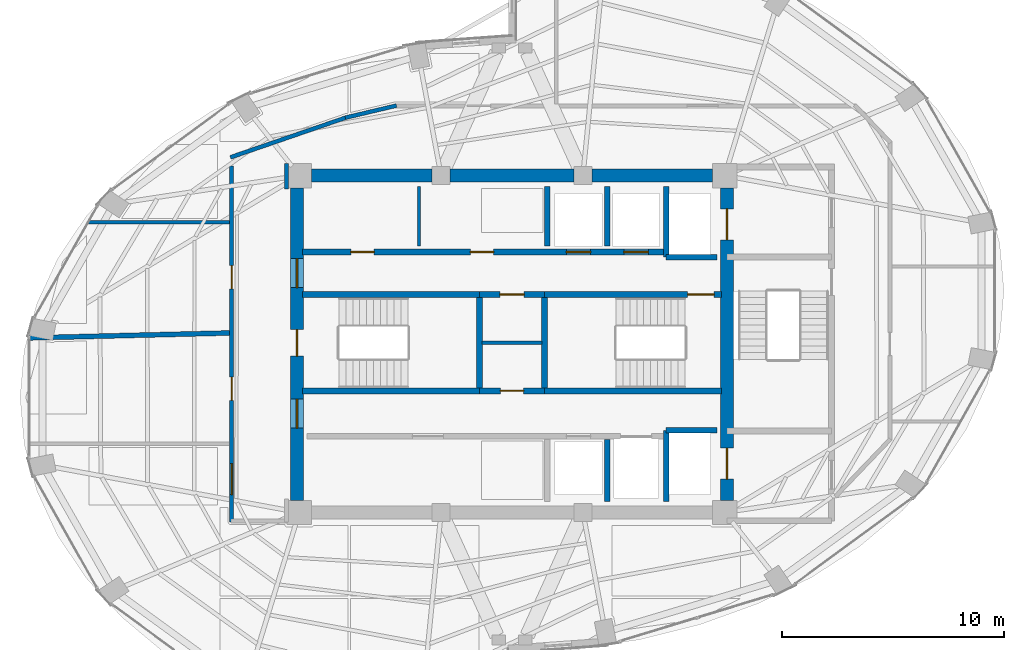
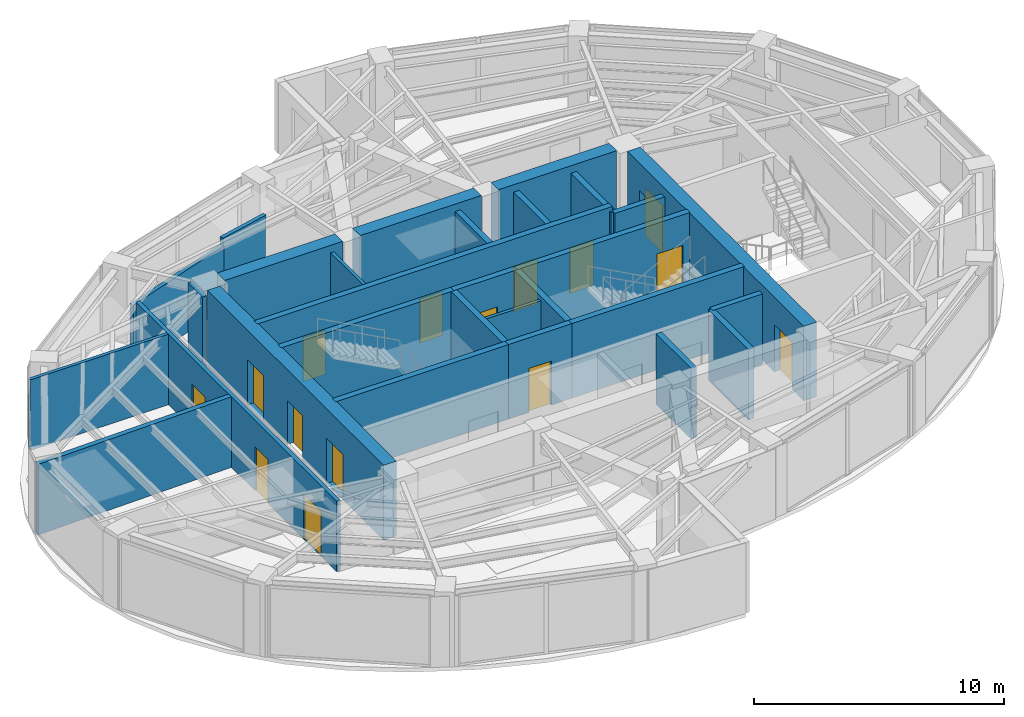
# One storey, part 19 of 22: 29 walls, 15 doors, 15 openings.
"""IFC4 building model written with IfcOpenShell, lengths in metres."""

from ifc_helpers import new_model, si_unit, direction, frame, frame_2d, origin, place, context, subcontext, project, spatial, rectangle, extrude, material, layer, layer_set, type_object, element, fill, save


model = new_model("IFC4")

# Units and contexts
model_context = context("Model", 3, precision=1e-05, world=origin(), true_north=direction((0.0, 1.0)))
body_context = subcontext(model_context, "Body", "Model", "MODEL_VIEW")
ifc_project = project(units=[si_unit("LENGTHUNIT", "METRE"), si_unit("AREAUNIT", "SQUARE_METRE"), si_unit("VOLUMEUNIT", "CUBIC_METRE"), si_unit("PLANEANGLEUNIT", "RADIAN"), si_unit("MASSUNIT", "GRAM", prefix="KILO")], contexts=[model_context])

# Site, building, storey
site_placement = place(None, origin())
site = spatial("IfcSite", under=ifc_project, at=site_placement, CompositionType="ELEMENT")
building_placement = place(site_placement, origin())
building = spatial("IfcBuilding", under=site, at=building_placement, Name="Lazwardi Medical Tower", CompositionType="ELEMENT")
storey_placement = place(building_placement, frame((0.0, 0.0, 227.6640625)))
storey = spatial("IfcBuildingStorey", under=building, at=storey_placement, Name="L59", CompositionType="ELEMENT", Elevation=227.6640625)

# Walls
ifc_material_1 = material(Name="Fire-rated gypsum board on steel stud", Category="steel")
ifc_layer_1 = layer(ifc_material_1, 0.179931640625)
ifc_layer_set_1 = layer_set([ifc_layer_1], Name="Fire-rated gypsum board on steel stud")
wall_type_1 = type_object("IfcWallType", Name="WL-COR-180", PredefinedType="PARTITIONING", material=ifc_layer_set_1)
wall_1_placement = place(storey_placement, frame((23.294189453125, 36.422119140625, 0.0), z_axis=(0.0, 0.0, 1.0), x_axis=(0.945493277461, 0.325641616316, 0.0)))
element("IfcWall", 1, at=wall_1_placement, inside=storey, type_object=wall_type_1, Name="L59 Corridor partition 1", PredefinedType="PARTITIONING", context=body_context, shape_type="SweptSolid", body=[
    extrude(rectangle(XDim=5.5615234375, YDim=0.179931640625, at=frame_2d((2.78076171875, 0.0))), origin(), (0.0, 0.0, 1.0), 3.072998046875),
])
wall_2_placement = place(storey_placement, frame((28.475830078125, 38.2109375, 0.0), z_axis=(0.0, 0.0, 1.0), x_axis=(0.973030562203, 0.230676234189, 0.0)))
element("IfcWall", 2, at=wall_2_placement, inside=storey, type_object=wall_type_1, Name="L59 Corridor partition 2", PredefinedType="PARTITIONING", context=body_context, shape_type="SweptSolid", body=[
    extrude(rectangle(XDim=2.377197265625, YDim=0.179931640625, at=frame_2d((1.1884765625, 0.0))), origin(), (0.0, 0.0, 1.0), 3.447998046875),
])
wall_3_placement = place(storey_placement, frame((25.830078125, 36.139892578125, 0.0), z_axis=(0.0, 0.0, 1.0), x_axis=(0.0, -1.0, 0.0)))
element("IfcWall", 3, at=wall_3_placement, inside=storey, type_object=wall_type_1, Name="L59 Corridor partition 7", PredefinedType="PARTITIONING", context=body_context, shape_type="SweptSolid", body=[
    extrude(rectangle(XDim=1.14990234375, YDim=0.179931640625, at=frame_2d((0.574951171875, 0.0))), origin(), (0.0, 0.0, 1.0), 3.447998046875),
])

# Wall, openings, doors
wall_4_placement = place(storey_placement, frame((23.35009765625, 19.97998046875, 0.0), z_axis=(0.0, 0.0, 1.0), x_axis=(0.0, 1.0, 0.0)))
wall_4 = element("IfcWall", 4, at=wall_4_placement, inside=storey, type_object=wall_type_1, Name="L59 Corridor partition 10", PredefinedType="PARTITIONING", context=body_context, shape_type="SweptSolid", body=[
    extrude(rectangle(XDim=16.04248046875, YDim=0.179931640625, at=frame_2d((8.021240234375, 0.0))), origin(), (0.0, 0.0, 1.0), 3.447998046875),
])
opening_1_placement = place(wall_4_placement, frame((5.4765625, 0.0, 0.0)))
opening_1 = element("IfcOpeningElement", 5, at=opening_1_placement, cuts=wall_4, Name="Opening D-L59-010", PredefinedType="OPENING", context=body_context, shape_type="SweptSolid", body=[
    extrude(rectangle(XDim=1.050048828125, YDim=2.14990234375, at=frame_2d((0.52490234375, 1.074951171875))), frame((0.0, 0.099853515625, 0.0), z_axis=(0.0, -1.0, 0.0), x_axis=(1.0, 0.0, 0.0)), (0.0, 0.0, 1.0), 0.199951171875),
])
opening_2_placement = place(wall_4_placement, frame((1.218994140625, 0.0, 0.0)))
opening_2 = element("IfcOpeningElement", 6, at=opening_2_placement, cuts=wall_4, Name="Opening D-L59-011", PredefinedType="OPENING", context=body_context, shape_type="SweptSolid", body=[
    extrude(rectangle(XDim=1.39990234375, YDim=2.199951171875, at=frame_2d((0.699951171875, 1.10009765625))), frame((0.0, 0.099853515625, 0.0), z_axis=(0.0, -1.0, 0.0), x_axis=(1.0, 0.0, 0.0)), (0.0, 0.0, 1.0), 0.199951171875),
])
opening_3_placement = place(wall_4_placement, frame((10.511474609375, 0.0, 0.0)))
opening_3 = element("IfcOpeningElement", 7, at=opening_3_placement, cuts=wall_4, Name="Opening D-L59-015", PredefinedType="OPENING", context=body_context, shape_type="SweptSolid", body=[
    extrude(rectangle(XDim=1.050048828125, YDim=2.14990234375, at=frame_2d((0.52490234375, 1.074951171875))), frame((0.0, 0.099853515625, 0.0), z_axis=(0.0, -1.0, 0.0), x_axis=(1.0, 0.0, 0.0)), (0.0, 0.0, 1.0), 0.199951171875),
])
ifc_material_2 = material(Name="Anti-microbial laminate hospital leaf")
door_type_1 = type_object("IfcDoorType", Name="DR-BED-1400", OperationType="NOTDEFINED", PredefinedType="DOOR", material=ifc_material_2)
door_1_placement = place(opening_2_placement, origin())
door_1 = element("IfcDoor", 8, at=door_1_placement, inside=storey, type_object=door_type_1, Name="L59 Department Reception Foyer Door 02", OperationType="SINGLE_SWING_RIGHT", OverallHeight=2.199951171875, OverallWidth=1.39990234375, PredefinedType="DOOR", context=body_context, shape_type="SweptSolid", body=[
    extrude(rectangle(XDim=1.39990234375, YDim=2.199951171875, at=frame_2d((0.699951171875, 1.10009765625))), frame((0.0, 0.02490234375, 0.0), z_axis=(0.0, -1.0, 0.0), x_axis=(1.0, 0.0, 0.0)), (0.0, 0.0, 1.0), 0.050048828125),
])
fill(opening_2, door_1)
door_type_2 = type_object("IfcDoorType", Name="DR-CLN-1050", OperationType="NOTDEFINED", PredefinedType="DOOR", material=ifc_material_2)
door_2_placement = place(opening_1_placement, origin())
door_2 = element("IfcDoor", 9, at=door_2_placement, inside=storey, type_object=door_type_2, Name="L59 Clinical Specialist Office Door 01", OperationType="SINGLE_SWING_LEFT", OverallHeight=2.14990234375, OverallWidth=1.050048828125, PredefinedType="DOOR", context=body_context, shape_type="SweptSolid", body=[
    extrude(rectangle(XDim=1.050048828125, YDim=2.14990234375, at=frame_2d((0.52490234375, 1.074951171875))), frame((0.0, 0.02490234375, 0.0), z_axis=(0.0, -1.0, 0.0), x_axis=(1.0, 0.0, 0.0)), (0.0, 0.0, 1.0), 0.050048828125),
])
fill(opening_1, door_2)
door_3_placement = place(opening_3_placement, origin())
door_3 = element("IfcDoor", 10, at=door_3_placement, inside=storey, type_object=door_type_2, Name="L59 Clinical Specialist Office Door 06", OperationType="SINGLE_SWING_RIGHT", OverallHeight=2.14990234375, OverallWidth=1.050048828125, PredefinedType="DOOR", context=body_context, shape_type="SweptSolid", body=[
    extrude(rectangle(XDim=1.050048828125, YDim=2.14990234375, at=frame_2d((0.52490234375, 1.074951171875))), frame((0.0, 0.02490234375, 0.0), z_axis=(0.0, -1.0, 0.0), x_axis=(1.0, 0.0, 0.0)), (0.0, 0.0, 1.0), 0.050048828125),
])
fill(opening_3, door_3)

ifc_material_3 = material(Name="Concrete C60/75", Category="concrete")
ifc_layer_2 = layer(ifc_material_3, 0.60009765625)
ifc_layer_set_2 = layer_set([ifc_layer_2], Name="Concrete C60/75")
wall_type_2 = type_object("IfcWallType", Name="WL-CORE-600", PredefinedType="SHEAR", material=ifc_layer_set_2)
wall_5_placement = place(storey_placement, frame((26.300048828125, 20.949951171875, 0.0), z_axis=(0.0, 0.0, 1.0), x_axis=(0.0, 1.0, 0.0)))
wall_5 = element("IfcWall", 11, at=wall_5_placement, inside=storey, type_object=wall_type_2, Name="Core wall CW-S3 west L59", PredefinedType="SHEAR", context=body_context, shape_type="SweptSolid", body=[
    extrude(rectangle(XDim=14.10009765625, YDim=0.60009765625, at=frame_2d((7.050048828125, 0.0))), origin(), (0.0, 0.0, 1.0), 3.64794921875),
])
opening_4_placement = place(wall_5_placement, frame((6.5, 0.0, 0.0)))
opening_4 = element("IfcOpeningElement", 12, at=opening_4_placement, cuts=wall_5, Name="Opening D-L59-016", PredefinedType="OPENING", context=body_context, shape_type="SweptSolid", body=[
    extrude(rectangle(XDim=1.199951171875, YDim=2.14990234375, at=frame_2d((0.60009765625, 1.074951171875))), frame((0.0, 0.31005859375, 0.0), z_axis=(0.0, -1.0, 0.0), x_axis=(1.0, 0.0, 0.0)), (0.0, 0.0, 1.0), 0.6201171875),
])
opening_5_placement = place(wall_5_placement, frame((9.60009765625, 0.0, 0.0)))
opening_5 = element("IfcOpeningElement", 13, at=opening_5_placement, cuts=wall_5, Name="Opening D-L59-008", PredefinedType="OPENING", context=body_context, shape_type="SweptSolid", body=[
    extrude(rectangle(XDim=1.300048828125, YDim=2.199951171875, at=frame_2d((0.64990234375, 1.10009765625))), frame((0.0, 0.31005859375, 0.0), z_axis=(0.0, -1.0, 0.0), x_axis=(1.0, 0.0, 0.0)), (0.0, 0.0, 1.0), 0.6201171875),
])
opening_6_placement = place(wall_5_placement, frame((3.260009765625, 0.0, 0.0)))
opening_6 = element("IfcOpeningElement", 14, at=opening_6_placement, cuts=wall_5, Name="Opening D-L59-009", PredefinedType="OPENING", context=body_context, shape_type="SweptSolid", body=[
    extrude(rectangle(XDim=1.300048828125, YDim=2.199951171875, at=frame_2d((0.64990234375, 1.10009765625))), frame((0.0, 0.31005859375, 0.0), z_axis=(0.0, -1.0, 0.0), x_axis=(1.0, 0.0, 0.0)), (0.0, 0.0, 1.0), 0.6201171875),
])
ifc_material_4 = material(Name="Fire-rated steel leaf and frame", Category="steel")
door_type_3 = type_object("IfcDoorType", Name="DR-FFL-1300", OperationType="NOTDEFINED", PredefinedType="DOOR", material=ifc_material_4)
door_4_placement = place(opening_5_placement, origin())
door_4 = element("IfcDoor", 15, at=door_4_placement, inside=storey, type_object=door_type_3, Name="L59 North Lift Lobby Door", OperationType="SINGLE_SWING_LEFT", OverallHeight=2.199951171875, OverallWidth=1.300048828125, PredefinedType="DOOR", context=body_context, shape_type="SweptSolid", body=[
    extrude(rectangle(XDim=1.300048828125, YDim=2.199951171875, at=frame_2d((0.64990234375, 1.10009765625))), frame((0.0, 0.02490234375, 0.0), z_axis=(0.0, -1.0, 0.0), x_axis=(1.0, 0.0, 0.0)), (0.0, 0.0, 1.0), 0.050048828125),
])
fill(opening_5, door_4)
door_5_placement = place(opening_6_placement, origin())
door_5 = element("IfcDoor", 16, at=door_5_placement, inside=storey, type_object=door_type_3, Name="L59 South Lift Lobby Door", OperationType="SINGLE_SWING_RIGHT", OverallHeight=2.199951171875, OverallWidth=1.300048828125, PredefinedType="DOOR", context=body_context, shape_type="SweptSolid", body=[
    extrude(rectangle(XDim=1.300048828125, YDim=2.199951171875, at=frame_2d((0.64990234375, 1.10009765625))), frame((0.0, 0.02490234375, 0.0), z_axis=(0.0, -1.0, 0.0), x_axis=(1.0, 0.0, 0.0)), (0.0, 0.0, 1.0), 0.050048828125),
])
fill(opening_6, door_5)
door_type_4 = type_object("IfcDoorType", Name="DR-STR-1200", OperationType="NOTDEFINED", PredefinedType="DOOR", material=ifc_material_4)
door_6_placement = place(opening_4_placement, origin())
door_6 = element("IfcDoor", 17, at=door_6_placement, inside=storey, type_object=door_type_4, Name="L59 Exit Stair ST1 Door", OperationType="SINGLE_SWING_LEFT", OverallHeight=2.14990234375, OverallWidth=1.199951171875, PredefinedType="DOOR", context=body_context, shape_type="SweptSolid", body=[
    extrude(rectangle(XDim=1.199951171875, YDim=2.14990234375, at=frame_2d((0.60009765625, 1.074951171875))), frame((0.0, 0.02490234375, 0.0), z_axis=(0.0, -1.0, 0.0), x_axis=(1.0, 0.0, 0.0)), (0.0, 0.0, 1.0), 0.050048828125),
])
fill(opening_4, door_6)

wall_6_placement = place(storey_placement, frame((45.699951171875, 20.949951171875, 0.0), z_axis=(0.0, 0.0, 1.0), x_axis=(0.0, 1.0, 0.0)))
wall_6 = element("IfcWall", 18, at=wall_6_placement, inside=storey, type_object=wall_type_2, Name="Core wall CW-S3 east L59", PredefinedType="SHEAR", context=body_context, shape_type="SweptSolid", body=[
    extrude(rectangle(XDim=14.10009765625, YDim=0.60009765625, at=frame_2d((7.050048828125, 0.0))), origin(), (0.0, 0.0, 1.0), 3.64794921875),
])
opening_7_placement = place(wall_6_placement, frame((11.75, 0.0, 0.0)))
opening_7 = element("IfcOpeningElement", 19, at=opening_7_placement, cuts=wall_6, Name="Opening LD-L59-001", PredefinedType="OPENING", context=body_context, shape_type="SweptSolid", body=[
    extrude(rectangle(XDim=1.39990234375, YDim=2.300048828125, at=frame_2d((0.699951171875, 1.14990234375))), frame((0.0, 0.31005859375, 0.0), z_axis=(0.0, -1.0, 0.0), x_axis=(1.0, 0.0, 0.0)), (0.0, 0.0, 1.0), 0.6201171875),
])
opening_8_placement = place(wall_6_placement, frame((0.949951171875, 0.0, 0.0)))
opening_8 = element("IfcOpeningElement", 20, at=opening_8_placement, cuts=wall_6, Name="Opening LD-L59-002", PredefinedType="OPENING", context=body_context, shape_type="SweptSolid", body=[
    extrude(rectangle(XDim=1.39990234375, YDim=2.300048828125, at=frame_2d((0.699951171875, 1.14990234375))), frame((0.0, 0.31005859375, 0.0), z_axis=(0.0, -1.0, 0.0), x_axis=(1.0, 0.0, 0.0)), (0.0, 0.0, 1.0), 0.6201171875),
])
ifc_material_5 = material(Name="Brushed stainless steel bed-lift landing door", Category="steel")
door_type_5 = type_object("IfcDoorType", Name="DR-LFT-1400", OperationType="NOTDEFINED", PredefinedType="DOOR", material=ifc_material_5)
door_7_placement = place(opening_7_placement, origin())
door_7 = element("IfcDoor", 21, at=door_7_placement, inside=storey, type_object=door_type_5, Name="L59 Lift Landing Door FL-01", OperationType="SLIDING_TO_LEFT", OverallHeight=2.300048828125, OverallWidth=1.39990234375, PredefinedType="DOOR", context=body_context, shape_type="SweptSolid", body=[
    extrude(rectangle(XDim=1.39990234375, YDim=2.300048828125, at=frame_2d((0.699951171875, 1.14990234375))), frame((0.0, 0.02490234375, 0.0), z_axis=(0.0, -1.0, 0.0), x_axis=(1.0, 0.0, 0.0)), (0.0, 0.0, 1.0), 0.050048828125),
])
fill(opening_7, door_7)
door_8_placement = place(opening_8_placement, origin())
door_8 = element("IfcDoor", 22, at=door_8_placement, inside=storey, type_object=door_type_5, Name="L59 Lift Landing Door FL-02", OperationType="SLIDING_TO_LEFT", OverallHeight=2.300048828125, OverallWidth=1.39990234375, PredefinedType="DOOR", context=body_context, shape_type="SweptSolid", body=[
    extrude(rectangle(XDim=1.39990234375, YDim=2.300048828125, at=frame_2d((0.699951171875, 1.14990234375))), frame((0.0, 0.02490234375, 0.0), z_axis=(0.0, -1.0, 0.0), x_axis=(1.0, 0.0, 0.0)), (0.0, 0.0, 1.0), 0.050048828125),
])
fill(opening_8, door_8)

# Walls
wall_7_placement = place(storey_placement, frame((26.949951171875, 35.60009765625, 0.0), z_axis=(0.0, 0.0, 1.0), x_axis=(1.0, 0.0, 0.0)))
element("IfcWall", 23, at=wall_7_placement, inside=storey, type_object=wall_type_2, Name="Core wall CW-S3 N1 L59", PredefinedType="SHEAR", context=body_context, shape_type="SweptSolid", body=[
    extrude(rectangle(XDim=5.449951171875, YDim=0.60009765625, at=frame_2d((2.72509765625, 0.0))), origin(), (0.0, 0.0, 1.0), 3.64794921875),
])
wall_8_placement = place(storey_placement, frame((33.199951171875, 35.60009765625, 0.0), z_axis=(0.0, 0.0, 1.0), x_axis=(1.0, 0.0, 0.0)))
element("IfcWall", 24, at=wall_8_placement, inside=storey, type_object=wall_type_2, Name="Core wall CW-S3 N2 L59", PredefinedType="SHEAR", context=body_context, shape_type="SweptSolid", body=[
    extrude(rectangle(XDim=5.60009765625, YDim=0.60009765625, at=frame_2d((2.800048828125, 0.0))), origin(), (0.0, 0.0, 1.0), 3.64794921875),
])
wall_9_placement = place(storey_placement, frame((39.60009765625, 35.60009765625, 0.0), z_axis=(0.0, 0.0, 1.0), x_axis=(1.0, 0.0, 0.0)))
element("IfcWall", 25, at=wall_9_placement, inside=storey, type_object=wall_type_2, Name="Core wall CW-S3 N3 L59", PredefinedType="SHEAR", context=body_context, shape_type="SweptSolid", body=[
    extrude(rectangle(XDim=5.449951171875, YDim=0.60009765625, at=frame_2d((2.72509765625, 0.0))), origin(), (0.0, 0.0, 1.0), 3.64794921875),
])
ifc_material_6 = material(Name="Autoclaved aerated concrete blockwork", Category="masonry")
ifc_layer_3 = layer(ifc_material_6, 0.25)
ifc_layer_set_3 = layer_set([ifc_layer_3], Name="Autoclaved aerated concrete blockwork")
wall_type_3 = type_object("IfcWallType", Name="WL-SHAFT-250", PredefinedType="SOLIDWALL", material=ifc_layer_set_3)
wall_10_placement = place(storey_placement, frame((42.949951171875, 31.919921875, 0.0), z_axis=(0.0, 0.0, 1.0), x_axis=(0.0, 1.0, 0.0)))
element("IfcWall", 26, at=wall_10_placement, inside=storey, type_object=wall_type_3, Name="L59 FL-01 West shaft wall", PredefinedType="SOLIDWALL", context=body_context, shape_type="SweptSolid", body=[
    extrude(rectangle(XDim=3.18017578125, YDim=0.25, at=frame_2d((1.590087890625, 0.0))), origin(), (0.0, 0.0, 1.0), 3.447998046875),
])
wall_11_placement = place(storey_placement, frame((42.949951171875, 31.919921875, 0.0), z_axis=(0.0, 0.0, 1.0), x_axis=(1.0, 0.0, 0.0)))
element("IfcWall", 27, at=wall_11_placement, inside=storey, type_object=wall_type_3, Name="L59 FL-01 South shaft wall", PredefinedType="SOLIDWALL", context=body_context, shape_type="SweptSolid", body=[
    extrude(rectangle(XDim=2.300048828125, YDim=0.25, at=frame_2d((1.14990234375, 0.0))), origin(), (0.0, 0.0, 1.0), 3.447998046875),
])
wall_12_placement = place(storey_placement, frame((42.949951171875, 20.89990234375, 0.0), z_axis=(0.0, 0.0, 1.0), x_axis=(0.0, 1.0, 0.0)))
element("IfcWall", 28, at=wall_12_placement, inside=storey, type_object=wall_type_3, Name="L59 FL-02 West shaft wall", PredefinedType="SOLIDWALL", context=body_context, shape_type="SweptSolid", body=[
    extrude(rectangle(XDim=3.2001953125, YDim=0.25, at=frame_2d((1.60009765625, 0.0))), origin(), (0.0, 0.0, 1.0), 3.447998046875),
])
wall_13_placement = place(storey_placement, frame((42.949951171875, 24.10009765625, 0.0), z_axis=(0.0, 0.0, 1.0), x_axis=(1.0, 0.0, 0.0)))
element("IfcWall", 29, at=wall_13_placement, inside=storey, type_object=wall_type_3, Name="L59 FL-02 North shaft wall", PredefinedType="SOLIDWALL", context=body_context, shape_type="SweptSolid", body=[
    extrude(rectangle(XDim=2.300048828125, YDim=0.25, at=frame_2d((1.14990234375, 0.0))), origin(), (0.0, 0.0, 1.0), 3.447998046875),
])
for number, where, z_axis, x_axis, name in (
    (30, (37.60009765625, 32.419921875, 0.0), (0.0, 0.0, 1.0), (0.0, 1.0, 0.0), "L59 North hoistway divider"),
    (31, (40.300048828125, 32.419921875, 0.0), (0.0, 0.0, 1.0), (0.0, 1.0, 0.0), "L59 North hoistway divider"),
):
    element("IfcWall", number, at=place(storey_placement, frame(where, z_axis=z_axis, x_axis=x_axis)), inside=storey, type_object=wall_type_3, Name=name, PredefinedType="SOLIDWALL", context=body_context, shape_type="SweptSolid", body=[
        extrude(rectangle(XDim=2.68017578125, YDim=0.25, at=frame_2d((1.340087890625, 0.0))), origin(), (0.0, 0.0, 1.0), 3.447998046875),
    ])
wall_14_placement = place(storey_placement, frame((40.300048828125, 20.89990234375, 0.0), z_axis=(0.0, 0.0, 1.0), x_axis=(0.0, 1.0, 0.0)))
element("IfcWall", 32, at=wall_14_placement, inside=storey, type_object=wall_type_3, Name="L59 South hoistway divider", PredefinedType="SOLIDWALL", context=body_context, shape_type="SweptSolid", body=[
    extrude(rectangle(XDim=2.800048828125, YDim=0.25, at=frame_2d((1.39990234375, 0.0))), origin(), (0.0, 0.0, 1.0), 3.447998046875),
])
ifc_layer_4 = layer(ifc_material_1, 0.219970703125)
ifc_layer_set_4 = layer_set([ifc_layer_4], Name="Fire-rated gypsum board on steel stud")
wall_type_4 = type_object("IfcWallType", Name="WL-SMK-220", PredefinedType="PARTITIONING", material=ifc_layer_set_4)
wall_15_placement = place(storey_placement, frame((14.213134765625, 28.275390625, 0.0), z_axis=(0.0, 0.0, 1.0), x_axis=(0.99969661311, 0.024630910184, 0.0)))
element("IfcWall", 33, at=wall_15_placement, inside=storey, type_object=wall_type_4, Name="L59 Room partition 2", PredefinedType="PARTITIONING", context=body_context, shape_type="SweptSolid", body=[
    extrude(rectangle(XDim=9.049560546875, YDim=0.219970703125, at=frame_2d((4.52490234375, 0.0))), origin(), (0.0, 0.0, 1.0), 3.447998046875),
])
ifc_material_7 = material(Name="Concrete C50/60", Category="concrete")
ifc_layer_5 = layer(ifc_material_7, 0.27001953125)
ifc_layer_set_5 = layer_set([ifc_layer_5], Name="Concrete C50/60")
wall_type_5 = type_object("IfcWallType", Name="WL-STR-250", PredefinedType="SHEAR", material=ifc_layer_set_5)
wall_16_placement = place(storey_placement, frame((26.550048828125, 30.235107421875, 0.0), z_axis=(0.0, 0.0, 1.0), x_axis=(1.0, 0.0, 0.0)))
element("IfcWall", 34, at=wall_16_placement, inside=storey, type_object=wall_type_5, Name="L59 ST1 North shear shaft wall SW-S1", PredefinedType="SHEAR", context=body_context, shape_type="SweptSolid", body=[
    extrude(rectangle(XDim=7.98486328125, YDim=0.27001953125, at=frame_2d((3.992431640625, 0.0))), origin(), (0.0, 0.0, 1.0), 3.64794921875),
])

# Wall, opening, door
wall_17_placement = place(storey_placement, frame((34.534912109375, 30.235107421875, 0.0), z_axis=(0.0, 0.0, 1.0), x_axis=(1.0, 0.0, 0.0)))
wall_17 = element("IfcWall", 35, at=wall_17_placement, inside=storey, type_object=wall_type_5, Name="L59 Core service North shear wall SW-S1", PredefinedType="SHEAR", context=body_context, shape_type="SweptSolid", body=[
    extrude(rectangle(XDim=2.93017578125, YDim=0.27001953125, at=frame_2d((1.465087890625, 0.0))), origin(), (0.0, 0.0, 1.0), 3.64794921875),
])
opening_9_placement = place(wall_17_placement, frame((0.9150390625, 0.0, 0.0)))
opening_9 = element("IfcOpeningElement", 36, at=opening_9_placement, cuts=wall_17, Name="Opening D-L59-002", PredefinedType="OPENING", context=body_context, shape_type="SweptSolid", body=[
    extrude(rectangle(XDim=1.10009765625, YDim=2.14990234375, at=frame_2d((0.550048828125, 1.074951171875))), frame((0.0, 0.14501953125, 0.0), z_axis=(0.0, -1.0, 0.0), x_axis=(1.0, 0.0, 0.0)), (0.0, 0.0, 1.0), 0.2900390625),
])
door_type_6 = type_object("IfcDoorType", Name="DR-PLT-1100", OperationType="NOTDEFINED", PredefinedType="DOOR", material=ifc_material_4)
door_9_placement = place(opening_9_placement, origin())
door_9 = element("IfcDoor", 37, at=door_9_placement, inside=storey, type_object=door_type_6, Name="L59 Electrical Room Door", OperationType="SINGLE_SWING_RIGHT", OverallHeight=2.14990234375, OverallWidth=1.10009765625, PredefinedType="DOOR", context=body_context, shape_type="SweptSolid", body=[
    extrude(rectangle(XDim=1.10009765625, YDim=2.14990234375, at=frame_2d((0.550048828125, 1.074951171875))), frame((0.0, 0.02490234375, 0.0), z_axis=(0.0, -1.0, 0.0), x_axis=(1.0, 0.0, 0.0)), (0.0, 0.0, 1.0), 0.050048828125),
])
fill(opening_9, door_9)

wall_18_placement = place(storey_placement, frame((37.465087890625, 30.235107421875, 0.0), z_axis=(0.0, 0.0, 1.0), x_axis=(1.0, 0.0, 0.0)))
wall_18 = element("IfcWall", 38, at=wall_18_placement, inside=storey, type_object=wall_type_5, Name="L59 ST2 North shear shaft wall SW-S1", PredefinedType="SHEAR", context=body_context, shape_type="SweptSolid", body=[
    extrude(rectangle(XDim=7.98486328125, YDim=0.27001953125, at=frame_2d((3.992431640625, 0.0))), origin(), (0.0, 0.0, 1.0), 3.64794921875),
])
opening_10_placement = place(wall_18_placement, frame((6.455078125, 0.0, 0.0)))
opening_10 = element("IfcOpeningElement", 39, at=opening_10_placement, cuts=wall_18, Name="Opening D-L59-017", PredefinedType="OPENING", context=body_context, shape_type="SweptSolid", body=[
    extrude(rectangle(XDim=1.199951171875, YDim=2.14990234375, at=frame_2d((0.60009765625, 1.074951171875))), frame((0.0, 0.14501953125, 0.0), z_axis=(0.0, -1.0, 0.0), x_axis=(1.0, 0.0, 0.0)), (0.0, 0.0, 1.0), 0.2900390625),
])
door_10_placement = place(opening_10_placement, origin())
door_10 = element("IfcDoor", 40, at=door_10_placement, inside=storey, type_object=door_type_4, Name="L59 Exit Stair ST2 Door", OperationType="SINGLE_SWING_RIGHT", OverallHeight=2.14990234375, OverallWidth=1.199951171875, PredefinedType="DOOR", context=body_context, shape_type="SweptSolid", body=[
    extrude(rectangle(XDim=1.199951171875, YDim=2.14990234375, at=frame_2d((0.60009765625, 1.074951171875))), frame((0.0, 0.02490234375, 0.0), z_axis=(0.0, -1.0, 0.0), x_axis=(1.0, 0.0, 0.0)), (0.0, 0.0, 1.0), 0.050048828125),
])
fill(opening_10, door_10)

# Wall
wall_19_placement = place(storey_placement, frame((26.550048828125, 25.885009765625, 0.0), z_axis=(0.0, 0.0, 1.0), x_axis=(1.0, 0.0, 0.0)))
element("IfcWall", 41, at=wall_19_placement, inside=storey, type_object=wall_type_5, Name="L59 ST1 South shear shaft wall SW-S1", PredefinedType="SHEAR", context=body_context, shape_type="SweptSolid", body=[
    extrude(rectangle(XDim=7.98486328125, YDim=0.27001953125, at=frame_2d((3.992431640625, 0.0))), origin(), (0.0, 0.0, 1.0), 3.64794921875),
])

# Wall, opening, door
wall_20_placement = place(storey_placement, frame((34.534912109375, 25.885009765625, 0.0), z_axis=(0.0, 0.0, 1.0), x_axis=(1.0, 0.0, 0.0)))
wall_20 = element("IfcWall", 42, at=wall_20_placement, inside=storey, type_object=wall_type_5, Name="L59 Core service South shear wall SW-S1", PredefinedType="SHEAR", context=body_context, shape_type="SweptSolid", body=[
    extrude(rectangle(XDim=2.93017578125, YDim=0.27001953125, at=frame_2d((1.465087890625, 0.0))), origin(), (0.0, 0.0, 1.0), 3.64794921875),
])
opening_11_placement = place(wall_20_placement, frame((0.93994140625, 0.0, 0.0)))
opening_11 = element("IfcOpeningElement", 43, at=opening_11_placement, cuts=wall_20, Name="Opening D-L59-001", PredefinedType="OPENING", context=body_context, shape_type="SweptSolid", body=[
    extrude(rectangle(XDim=1.050048828125, YDim=2.14990234375, at=frame_2d((0.52490234375, 1.074951171875))), frame((0.0, 0.14501953125, 0.0), z_axis=(0.0, -1.0, 0.0), x_axis=(1.0, 0.0, 0.0)), (0.0, 0.0, 1.0), 0.2900390625),
])
door_11_placement = place(opening_11_placement, origin())
door_11 = element("IfcDoor", 44, at=door_11_placement, inside=storey, type_object=door_type_2, Name="L59 Dirty Sluice Door", OperationType="SINGLE_SWING_LEFT", OverallHeight=2.14990234375, OverallWidth=1.050048828125, PredefinedType="DOOR", context=body_context, shape_type="SweptSolid", body=[
    extrude(rectangle(XDim=1.050048828125, YDim=2.14990234375, at=frame_2d((0.52490234375, 1.074951171875))), frame((0.0, 0.02490234375, 0.0), z_axis=(0.0, -1.0, 0.0), x_axis=(1.0, 0.0, 0.0)), (0.0, 0.0, 1.0), 0.050048828125),
])
fill(opening_11, door_11)

# Walls
wall_21_placement = place(storey_placement, frame((37.465087890625, 25.885009765625, 0.0), z_axis=(0.0, 0.0, 1.0), x_axis=(1.0, 0.0, 0.0)))
element("IfcWall", 45, at=wall_21_placement, inside=storey, type_object=wall_type_5, Name="L59 ST2 South shear shaft wall SW-S1", PredefinedType="SHEAR", context=body_context, shape_type="SweptSolid", body=[
    extrude(rectangle(XDim=7.98486328125, YDim=0.27001953125, at=frame_2d((3.992431640625, 0.0))), origin(), (0.0, 0.0, 1.0), 3.64794921875),
])
for number, where, z_axis, x_axis, name in (
    (46, (34.534912109375, 26.02001953125, 0.0), (0.0, 0.0, 1.0), (0.0, 1.0, 0.0), "L59 ST1 East shear shaft wall SW-S1"),
    (47, (37.465087890625, 26.02001953125, 0.0), (0.0, 0.0, 1.0), (0.0, 1.0, 0.0), "L59 ST2 West shear shaft wall SW-S1"),
):
    element("IfcWall", number, at=place(storey_placement, frame(where, z_axis=z_axis, x_axis=x_axis)), inside=storey, type_object=wall_type_5, Name=name, PredefinedType="SHEAR", context=body_context, shape_type="SweptSolid", body=[
        extrude(rectangle(XDim=4.080078125, YDim=0.27001953125, at=frame_2d((2.0400390625, 0.0))), origin(), (0.0, 0.0, 1.0), 3.64794921875),
    ])

# Wall, openings, doors
wall_22_placement = place(storey_placement, frame((26.550048828125, 32.14990234375, 0.0), z_axis=(0.0, 0.0, 1.0), x_axis=(1.0, 0.0, 0.0)))
wall_22 = element("IfcWall", 48, at=wall_22_placement, inside=storey, type_object=wall_type_5, Name="L59 North lift bank shear wall SW-S1", PredefinedType="SHEAR", context=body_context, shape_type="SweptSolid", body=[
    extrude(rectangle(XDim=16.39990234375, YDim=0.27001953125, at=frame_2d((8.199951171875, 0.0))), origin(), (0.0, 0.0, 1.0), 3.64794921875),
])
opening_12_placement = place(wall_22_placement, frame((2.175048828125, 0.0, 0.0)))
opening_12 = element("IfcOpeningElement", 49, at=opening_12_placement, cuts=wall_22, Name="Opening D-L59-003", PredefinedType="OPENING", context=body_context, shape_type="SweptSolid", body=[
    extrude(rectangle(XDim=1.050048828125, YDim=2.14990234375, at=frame_2d((0.52490234375, 1.074951171875))), frame((0.0, 0.14501953125, 0.0), z_axis=(0.0, -1.0, 0.0), x_axis=(1.0, 0.0, 0.0)), (0.0, 0.0, 1.0), 0.2900390625),
])
opening_13_placement = place(wall_22_placement, frame((7.574951171875, 0.0, 0.0)))
opening_13 = element("IfcOpeningElement", 50, at=opening_13_placement, cuts=wall_22, Name="Opening D-L59-004", PredefinedType="OPENING", context=body_context, shape_type="SweptSolid", body=[
    extrude(rectangle(XDim=1.050048828125, YDim=2.14990234375, at=frame_2d((0.52490234375, 1.074951171875))), frame((0.0, 0.14501953125, 0.0), z_axis=(0.0, -1.0, 0.0), x_axis=(1.0, 0.0, 0.0)), (0.0, 0.0, 1.0), 0.2900390625),
])
opening_14_placement = place(wall_22_placement, frame((11.89990234375, 0.0, 0.0)))
opening_14 = element("IfcOpeningElement", 51, at=opening_14_placement, cuts=wall_22, Name="Opening LD-L59-004", PredefinedType="OPENING", context=body_context, shape_type="SweptSolid", body=[
    extrude(rectangle(XDim=1.10009765625, YDim=2.199951171875, at=frame_2d((0.550048828125, 1.10009765625))), frame((0.0, 0.14501953125, 0.0), z_axis=(0.0, -1.0, 0.0), x_axis=(1.0, 0.0, 0.0)), (0.0, 0.0, 1.0), 0.2900390625),
])
opening_15_placement = place(wall_22_placement, frame((14.5, 0.0, 0.0)))
opening_15 = element("IfcOpeningElement", 52, at=opening_15_placement, cuts=wall_22, Name="Opening LD-L59-005", PredefinedType="OPENING", context=body_context, shape_type="SweptSolid", body=[
    extrude(rectangle(XDim=1.10009765625, YDim=2.199951171875, at=frame_2d((0.550048828125, 1.10009765625))), frame((0.0, 0.14501953125, 0.0), z_axis=(0.0, -1.0, 0.0), x_axis=(1.0, 0.0, 0.0)), (0.0, 0.0, 1.0), 0.2900390625),
])
door_12_placement = place(opening_12_placement, origin())
door_12 = element("IfcDoor", 53, at=door_12_placement, inside=storey, type_object=door_type_2, Name="L59 Core Consult Door", OperationType="SINGLE_SWING_LEFT", OverallHeight=2.14990234375, OverallWidth=1.050048828125, PredefinedType="DOOR", context=body_context, shape_type="SweptSolid", body=[
    extrude(rectangle(XDim=1.050048828125, YDim=2.14990234375, at=frame_2d((0.52490234375, 1.074951171875))), frame((0.0, 0.02490234375, 0.0), z_axis=(0.0, -1.0, 0.0), x_axis=(1.0, 0.0, 0.0)), (0.0, 0.0, 1.0), 0.050048828125),
])
fill(opening_12, door_12)
door_13_placement = place(opening_13_placement, origin())
door_13 = element("IfcDoor", 54, at=door_13_placement, inside=storey, type_object=door_type_2, Name="L59 Core Pharmacy Door", OperationType="SINGLE_SWING_RIGHT", OverallHeight=2.14990234375, OverallWidth=1.050048828125, PredefinedType="DOOR", context=body_context, shape_type="SweptSolid", body=[
    extrude(rectangle(XDim=1.050048828125, YDim=2.14990234375, at=frame_2d((0.52490234375, 1.074951171875))), frame((0.0, 0.02490234375, 0.0), z_axis=(0.0, -1.0, 0.0), x_axis=(1.0, 0.0, 0.0)), (0.0, 0.0, 1.0), 0.050048828125),
])
fill(opening_13, door_13)
ifc_material_8 = material(Name="Brushed bronze stainless steel landing door", Category="steel")
door_type_7 = type_object("IfcDoorType", Name="DR-LFT-1100", OperationType="NOTDEFINED", PredefinedType="DOOR", material=ifc_material_8)
door_14_placement = place(opening_14_placement, origin())
door_14 = element("IfcDoor", 55, at=door_14_placement, inside=storey, type_object=door_type_7, Name="L59 Lift Landing Door PL-09", OperationType="SLIDING_TO_LEFT", OverallHeight=2.199951171875, OverallWidth=1.10009765625, PredefinedType="DOOR", context=body_context, shape_type="SweptSolid", body=[
    extrude(rectangle(XDim=1.10009765625, YDim=2.199951171875, at=frame_2d((0.550048828125, 1.10009765625))), frame((0.0, 0.02490234375, 0.0), z_axis=(0.0, -1.0, 0.0), x_axis=(1.0, 0.0, 0.0)), (0.0, 0.0, 1.0), 0.050048828125),
])
fill(opening_14, door_14)
door_15_placement = place(opening_15_placement, origin())
door_15 = element("IfcDoor", 56, at=door_15_placement, inside=storey, type_object=door_type_7, Name="L59 Lift Landing Door PL-10", OperationType="SLIDING_TO_LEFT", OverallHeight=2.199951171875, OverallWidth=1.10009765625, PredefinedType="DOOR", context=body_context, shape_type="SweptSolid", body=[
    extrude(rectangle(XDim=1.10009765625, YDim=2.199951171875, at=frame_2d((0.550048828125, 1.10009765625))), frame((0.0, 0.02490234375, 0.0), z_axis=(0.0, -1.0, 0.0), x_axis=(1.0, 0.0, 0.0)), (0.0, 0.0, 1.0), 0.050048828125),
])
fill(opening_15, door_15)

# Walls
ifc_material_9 = material(Name="Acoustic gypsum board partition")
ifc_layer_6 = layer(ifc_material_9, 0.14990234375)
ifc_layer_set_6 = layer_set([ifc_layer_6], Name="Acoustic gypsum board partition")
wall_type_6 = type_object("IfcWallType", Name="WL-WRD-150", PredefinedType="PARTITIONING", material=ifc_layer_set_6)
wall_23_placement = place(storey_placement, frame((34.64990234375, 28.06005859375, 0.0), z_axis=(0.0, 0.0, 1.0), x_axis=(1.0, 0.0, 0.0)))
element("IfcWall", 57, at=wall_23_placement, inside=storey, type_object=wall_type_6, Name="L59 Core service divider", PredefinedType="PARTITIONING", context=body_context, shape_type="SweptSolid", body=[
    extrude(rectangle(XDim=2.7001953125, YDim=0.14990234375, at=frame_2d((1.35009765625, 0.0))), origin(), (0.0, 0.0, 1.0), 3.447998046875),
])
wall_24_placement = place(storey_placement, frame((31.800048828125, 32.419921875, 0.0), z_axis=(0.0, 0.0, 1.0), x_axis=(0.0, 1.0, 0.0)))
element("IfcWall", 58, at=wall_24_placement, inside=storey, type_object=wall_type_6, Name="L59 Freed bay2 N split", PredefinedType="PARTITIONING", context=body_context, shape_type="SweptSolid", body=[
    extrude(rectangle(XDim=2.68017578125, YDim=0.14990234375, at=frame_2d((1.340087890625, 0.0))), origin(), (0.0, 0.0, 1.0), 3.447998046875),
])
wall_25_placement = place(storey_placement, frame((16.89501953125, 33.5, 0.0), z_axis=(0.0, 0.0, 1.0), x_axis=(1.0, 0.0, 0.0)))
element("IfcWall", 59, at=wall_25_placement, inside=storey, type_object=wall_type_6, Name="L59 Room partition 3", PredefinedType="PARTITIONING", context=body_context, shape_type="SweptSolid", body=[
    extrude(rectangle(XDim=6.364990234375, YDim=0.14990234375, at=frame_2d((3.1826171875, 0.0))), origin(), (0.0, 0.0, 1.0), 3.447998046875),
])

save(model, "model.ifc")
